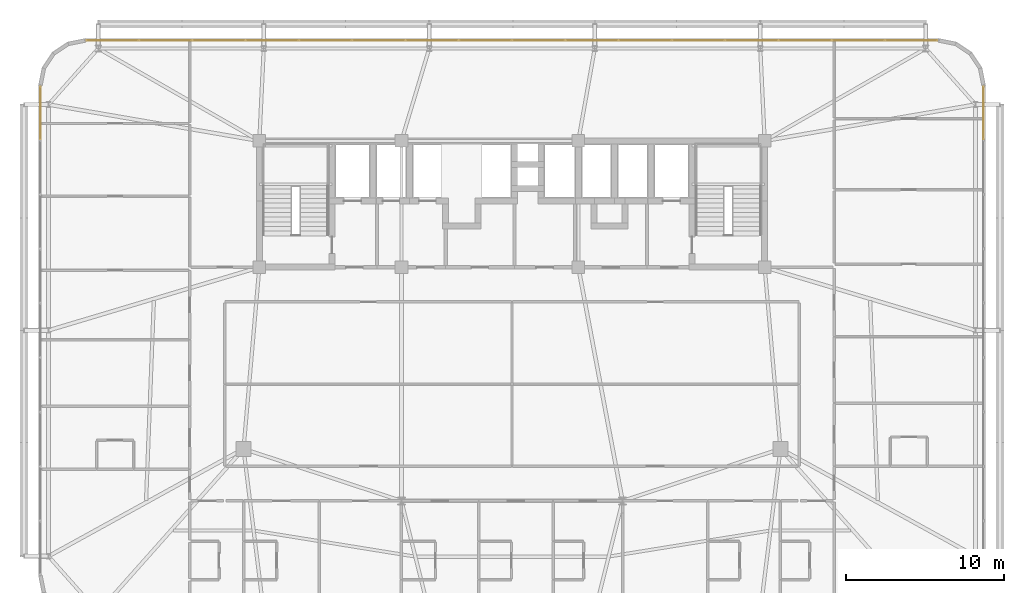
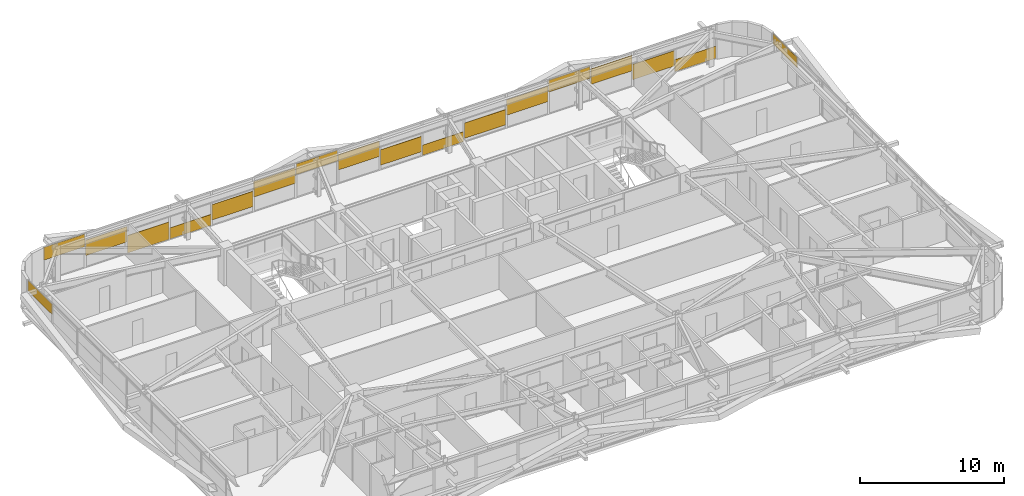
# One storey, part 59 of 59: 18 coverings.
"""IFC4 building model written with IfcOpenShell, lengths in metres."""

import ifcopenshell
import ifcopenshell.guid

model = None  # the IFC model being written
_history = None  # IfcOwnerHistory: only IFC2X3 demands one
_inside = {}  # id of a spatial element -> (the spatial element, [elements in it])
_under = {}  # id of a project, library or spatial element -> (it, [spatial elements below it])
_declared = {}  # id of a project -> (the project, [libraries it declares])
_typed = {}  # id of a type object -> (the type object, [elements of that type])
_made_of = {}  # id of a material, layer set ... -> (it, [elements and type objects made of it])


def new_model(schema):
    """Start an empty IFC model of exactly this schema.

    Asked for "IFC4X3", IfcOpenShell would pick the latest addendum, in which some entities
    have other attributes; the version numbers below select the first issue.
    IFC2X3 requires an IfcOwnerHistory on every rooted entity: one is made here for all.
    """
    global model, _history
    if schema == "IFC4X3":
        model = ifcopenshell.file(schema_version=(4, 3, 0, 0))
    else:
        model = ifcopenshell.file(schema=schema)
    _inside.clear()
    _under.clear()
    _declared.clear()
    _typed.clear()
    _made_of.clear()
    _history = None
    if model.schema == "IFC2X3":
        org = make("IfcOrganization", Name="unknown")
        user = make(
            "IfcPersonAndOrganization",
            ThePerson=make("IfcPerson", FamilyName="unknown"),
            TheOrganization=org,
        )
        app = make(
            "IfcApplication",
            ApplicationDeveloper=org,
            Version="unknown",
            ApplicationFullName="unknown",
            ApplicationIdentifier="unknown",
        )
        _history = make(
            "IfcOwnerHistory",
            OwningUser=user,
            OwningApplication=app,
            ChangeAction="ADDED",
            CreationDate=0,
        )
    return model


def make(cls, **values):
    """One entity of the class cls with the attributes given. An attribute that is None is left unset."""
    return model.create_entity(
        cls, **{name: value for name, value in values.items() if value is not None}
    )


def rooted(cls, **values):
    """An entity with a GlobalId (a new one), such as an element, a storey or a relation."""
    return make(cls, GlobalId=ifcopenshell.guid.new(), OwnerHistory=_history, **values)


def si_unit(unit_type, name, prefix=None):
    """IfcSIUnit, for example si_unit("LENGTHUNIT", "METRE", prefix="MILLI")."""
    return make("IfcSIUnit", UnitType=unit_type, Prefix=prefix, Name=name)


def assignment(units):
    """IfcUnitAssignment: the units of a project."""
    return None if units is None else make("IfcUnitAssignment", Units=units)


def point(xyz):
    """IfcCartesianPoint."""
    return None if xyz is None else make("IfcCartesianPoint", Coordinates=xyz)


def direction(xyz):
    """IfcDirection."""
    return None if xyz is None else make("IfcDirection", DirectionRatios=xyz)


def frame(location, z_axis=None, x_axis=None):
    """IfcAxis2Placement3D, a coordinate frame: its origin and axes. An axis left out is left unset."""
    return make(
        "IfcAxis2Placement3D",
        Location=point(location),
        Axis=direction(z_axis),
        RefDirection=direction(x_axis),
    )


def frame_2d(location, x_axis=None):
    """IfcAxis2Placement2D, a coordinate frame in the plane: its origin and x axis."""
    return make(
        "IfcAxis2Placement2D", Location=point(location), RefDirection=direction(x_axis)
    )


def origin():
    """The frame at (0, 0, 0) with its axes left unset."""
    return frame((0.0, 0.0, 0.0))


def origin_2d():
    """The frame at (0, 0) in the plane with its x axis left unset."""
    return frame_2d((0.0, 0.0))


def place(relative_to, where):
    """IfcLocalPlacement: puts the frame where relative to a parent placement (None: the world)."""
    return make(
        "IfcLocalPlacement", PlacementRelTo=relative_to, RelativePlacement=where
    )


def context(
    kind, dimensions, precision=None, world=None, true_north=None, identifier=None
):
    """IfcGeometricRepresentationContext, for example the 3D "Model" context."""
    return make(
        "IfcGeometricRepresentationContext",
        ContextIdentifier=identifier,
        ContextType=kind,
        CoordinateSpaceDimension=dimensions,
        Precision=precision,
        WorldCoordinateSystem=world,
        TrueNorth=true_north,
    )


def subcontext(parent, identifier, kind, view, scale=None):
    """IfcGeometricRepresentationSubContext, for example "Body" below "Model"."""
    return make(
        "IfcGeometricRepresentationSubContext",
        ContextIdentifier=identifier,
        ContextType=kind,
        ParentContext=parent,
        TargetScale=scale,
        TargetView=view,
    )


def project(units=None, contexts=None):
    """IfcProject with its units and contexts."""
    return rooted(
        "IfcProject",
        Name="project",
        RepresentationContexts=contexts,
        UnitsInContext=assignment(units),
    )


def spatial(cls, under=None, at=None, **own):
    """A site, building, storey or space (cls), placed at a placement, below another one or the project."""
    s = rooted(cls, ObjectPlacement=at, **own)
    if under is not None:
        _under.setdefault(under.id(), (under, []))[1].append(s)
    return s


def profile(cls, at=None, kind="AREA", **sizes):
    """A parametric profile (cls). Its sizes go by their IFC names, for example OverallWidth=200.0."""
    return make(cls, ProfileType=kind, Position=at, **sizes)


def rectangle(**sizes):
    """IfcRectangleProfileDef."""
    return profile("IfcRectangleProfileDef", **sizes)


def extrude(swept, where, along, depth):
    """IfcExtrudedAreaSolid: the profile swept, set in the frame where, extruded along a direction by depth."""
    return make(
        "IfcExtrudedAreaSolid",
        SweptArea=swept,
        Position=where,
        ExtrudedDirection=direction(along),
        Depth=depth,
    )


def shape(context_of_items, identifier, shape_type, items):
    """IfcShapeRepresentation: the items that make up one representation, for example the "Body"."""
    return make(
        "IfcShapeRepresentation",
        ContextOfItems=context_of_items,
        RepresentationIdentifier=identifier,
        RepresentationType=shape_type,
        Items=items,
    )


def source(mapping_origin, context_of_items, identifier, shape_type, items):
    """IfcRepresentationMap: a shape defined once, which mapped items show again and again."""
    return make(
        "IfcRepresentationMap",
        MappingOrigin=mapping_origin,
        MappedRepresentation=shape(context_of_items, identifier, shape_type, items),
    )


def transform(
    local_origin,
    x_axis=None,
    y_axis=None,
    z_axis=None,
    scale=None,
    scale2=None,
    scale3=None,
    uniform=True,
):
    """IfcCartesianTransformationOperator3D, or its non-uniform kind. x_axis, y_axis, z_axis: its Axis1, 2, 3."""
    if uniform:
        return make(
            "IfcCartesianTransformationOperator3D",
            Axis1=direction(x_axis),
            Axis2=direction(y_axis),
            LocalOrigin=point(local_origin),
            Scale=scale,
            Axis3=direction(z_axis),
        )
    return make(
        "IfcCartesianTransformationOperator3DnonUniform",
        Axis1=direction(x_axis),
        Axis2=direction(y_axis),
        LocalOrigin=point(local_origin),
        Scale=scale,
        Axis3=direction(z_axis),
        Scale2=scale2,
        Scale3=scale3,
    )


def mapped(mapping_source, mapping_target):
    """IfcMappedItem: shows the shape of a source again, moved by a transform."""
    return make(
        "IfcMappedItem", MappingSource=mapping_source, MappingTarget=mapping_target
    )


def material(Name=None, Category=None):
    """IfcMaterial."""
    return make("IfcMaterial", Name=Name, Category=Category)


def layer(
    of_material, thickness, ventilated=None, Name=None, Category=None, Priority=None
):
    """IfcMaterialLayer: one layer of a wall or slab, of a material (None: an air gap)."""
    return make(
        "IfcMaterialLayer",
        Material=of_material,
        LayerThickness=thickness,
        IsVentilated=ventilated,
        Name=Name,
        Category=Category,
        Priority=Priority,
    )


def layer_set(layers, Name=None):
    """IfcMaterialLayerSet."""
    return make("IfcMaterialLayerSet", MaterialLayers=layers, LayerSetName=Name)


def made_of(thing, what):
    """Note that an element or type object is made of a material, layer set ...; save() writes the relation."""
    if what is not None:
        _made_of.setdefault(what.id(), (what, []))[1].append(thing)
    return thing


def type_object(cls, material=None, **own):
    """A type object (cls), such as IfcWallType, which elements share."""
    return made_of(rooted(cls, **own), material)


def element(
    cls,
    number,
    at=None,
    inside=None,
    cuts=None,
    type_object=None,
    material=None,
    context=None,
    identifier="Body",
    shape_type=None,
    held_by="IfcProductDefinitionShape",
    body=None,
    shapes=None,
    **own,
):
    """One element of the class cls, such as IfcWall. Its Tag is "e" and its number.

    at: its placement. inside: the storey or other place that contains it. cuts: it is an
    opening in that element (IfcRelVoidsElement). A single representation is given by context,
    identifier, shape_type and body (its items); several are given by shapes. held_by: the class
    of the entity that holds the representations. save() writes the other relations.
    """
    e = rooted(cls, Tag="e%d" % number, ObjectPlacement=at, **own)
    if body is not None:
        shapes = [shape(context, identifier, shape_type, body)]
    if shapes is not None:
        e.Representation = make(held_by, Representations=shapes)
    if inside is not None:
        _inside.setdefault(inside.id(), (inside, []))[1].append(e)
    if cuts is not None:
        rooted(
            "IfcRelVoidsElement", RelatingBuildingElement=cuts, RelatedOpeningElement=e
        )
    if type_object is not None:
        _typed.setdefault(type_object.id(), (type_object, []))[1].append(e)
    return made_of(e, material)


def aggregate(whole, parts):
    """IfcRelAggregates: a whole, such as a stair, and the parts it consists of."""
    return rooted("IfcRelAggregates", RelatingObject=whole, RelatedObjects=parts)


def save(model, path):
    """Write the relations noted so far, then the file.

    IfcRelAggregates (storeys below a building ...), IfcRelContainedInSpatialStructure (elements
    in a storey), IfcRelDefinesByType, IfcRelAssociatesMaterial and IfcRelDeclares: one each for
    every whole, place, type object, material and project.
    """
    for whole, parts in _under.values():
        aggregate(whole, parts)
    for where, things in _inside.values():
        rooted(
            "IfcRelContainedInSpatialStructure",
            RelatedElements=things,
            RelatingStructure=where,
        )
    for kind, things in _typed.values():
        rooted("IfcRelDefinesByType", RelatedObjects=things, RelatingType=kind)
    for what, things in _made_of.values():
        rooted("IfcRelAssociatesMaterial", RelatedObjects=things, RelatingMaterial=what)
    for by, libraries in _declared.values():
        rooted("IfcRelDeclares", RelatingContext=by, RelatedDefinitions=libraries)
    model.write(path)


model = new_model("IFC4")

# Units and contexts
model_context = context("Model", 3, precision=1e-05, world=origin(), true_north=direction((0.0, 1.0)))
body_context = subcontext(model_context, "Body", "Model", "MODEL_VIEW")
ifc_project = project(units=[si_unit("LENGTHUNIT", "METRE"), si_unit("AREAUNIT", "SQUARE_METRE"), si_unit("VOLUMEUNIT", "CUBIC_METRE"), si_unit("PLANEANGLEUNIT", "RADIAN"), si_unit("MASSUNIT", "GRAM", prefix="KILO")], contexts=[model_context])

# Site, building, storey
site_placement = place(None, origin())
site = spatial("IfcSite", under=ifc_project, at=site_placement, CompositionType="ELEMENT")
building_placement = place(site_placement, origin())
building = spatial("IfcBuilding", under=site, at=building_placement, Name="Taldren Reach Tower", CompositionType="ELEMENT")
storey_placement = place(building_placement, frame((0.0, 0.0, 19.949951171875)))
storey = spatial("IfcBuildingStorey", under=building, at=storey_placement, Name="L05", CompositionType="ELEMENT", Elevation=19.949951171875)

# Coverings
ifc_material = material(Name="Pale Champagne Fluoropolymer Aluminium Spandrel Cladding", Category="aluminium")
ifc_layer = layer(ifc_material, 0.0439453125)
ifc_layer_set = layer_set([ifc_layer], Name="Pale Champagne Fluoropolymer Aluminium Spandrel Cladding")
covering_type = type_object("IfcCoveringType", Name="CV-CLAD-044", PredefinedType="CLADDING", material=ifc_layer_set)
shared_shape_1 = source(origin(), body_context, "Body", "SweptSolid", [
    extrude(rectangle(XDim=3.277587890625, YDim=0.0439453125, at=origin_2d()), origin(), (0.0, 0.0, 1.0), 1.081298828125),
])
covering_1_placement = place(storey_placement, frame((9.703857421875, 38.360107421875, 1.7939453125), z_axis=(0.0, 0.0, 1.0), x_axis=(-1.0, 0.0, 0.0)))
element("IfcCovering", 1, at=covering_1_placement, inside=storey, type_object=covering_type, Name="Diagrid closure cladding strip CW-2 panel 16.1 1", PredefinedType="CLADDING", context=body_context, shape_type="MappedRepresentation", body=[
    mapped(shared_shape_1, transform((0.0, 0.0, 0.0), scale=1.0)),
])
shared_shape_2 = source(origin(), body_context, "Body", "SweptSolid", [
    extrude(rectangle(XDim=3.31005859375, YDim=0.0439453125, at=origin_2d()), origin(), (0.0, 0.0, 1.0), 1.301025390625),
])
for number, where, z_axis, x_axis, name in (
    (2, (56.9375, 38.360107421875, 0.55810546875), (0.0, 0.0, 1.0), (-1.0, 0.0, 0.0), "Diagrid closure cladding strip CW-2 panel 2.1 1"),
    (3, (53.5625, 38.360107421875, 1.34033203125), (0.0, 0.0, 1.0), (-1.0, 0.0, 0.0), "Diagrid closure cladding strip CW-2 panel 3.1 1"),
    (4, (46.8125, 38.360107421875, 1.09326171875), (0.0, 0.0, 1.0), (-1.0, 0.0, 0.0), "Diagrid closure cladding strip CW-2 panel 5.1 1"),
    (5, (43.4375, 38.360107421875, 0.31103515625), (0.0, 0.0, 1.0), (-1.0, 0.0, 0.0), "Diagrid closure cladding strip CW-2 panel 6.1 1"),
    (6, (36.6875, 38.360107421875, 0.39306640625), (0.0, 0.0, 1.0), (-1.0, 0.0, 0.0), "Diagrid closure cladding strip CW-2 panel 8.1 1"),
    (7, (33.3125, 38.360107421875, 1.17578125), (0.0, 0.0, 1.0), (-1.0, 0.0, 0.0), "Diagrid closure cladding strip CW-2 panel 9.1 1"),
    (8, (26.5625, 38.360107421875, 1.25830078125), (0.0, 0.0, 1.0), (-1.0, 0.0, 0.0), "Diagrid closure cladding strip CW-2 panel 11.1 1"),
    (9, (23.1875, 38.360107421875, 0.4755859375), (0.0, 0.0, 1.0), (-1.0, 0.0, 0.0), "Diagrid closure cladding strip CW-2 panel 12.1 1"),
    (10, (13.0625, 38.360107421875, 1.01123046875), (0.0, 0.0, 1.0), (-1.0, 0.0, 0.0), "Diagrid closure cladding strip CW-2 panel 15.1 1"),
):
    element("IfcCovering", number, at=place(storey_placement, frame(where, z_axis=z_axis, x_axis=x_axis)), inside=storey, type_object=covering_type, Name=name, PredefinedType="CLADDING", context=body_context, shape_type="MappedRepresentation", body=[
        mapped(shared_shape_2, transform((0.0, 0.0, 0.0), scale=1.0)),
    ])
shared_shape_3 = source(origin(), body_context, "Body", "SweptSolid", [
    extrude(rectangle(XDim=3.31005859375, YDim=0.0439453125, at=origin_2d()), origin(), (0.0, 0.0, 1.0), 1.474609375),
])
covering_2_placement = place(storey_placement, frame((16.4375, 38.360107421875, 0.054931640625), z_axis=(0.0, 0.0, 1.0), x_axis=(-1.0, 0.0, 0.0)))
element("IfcCovering", 11, at=covering_2_placement, inside=storey, type_object=covering_type, Name="Diagrid closure cladding strip CW-2 panel 14.1 1", PredefinedType="CLADDING", context=body_context, shape_type="MappedRepresentation", body=[
    mapped(shared_shape_3, transform((0.0, 0.0, 0.0), scale=1.0)),
])
shared_shape_4 = source(origin(), body_context, "Body", "SweptSolid", [
    extrude(rectangle(XDim=3.31005859375, YDim=0.0439453125, at=origin_2d()), origin(), (0.0, 0.0, 1.0), 0.93896484375),
])
covering_3_placement = place(storey_placement, frame((19.8125, 38.360107421875, 0.05517578125), z_axis=(0.0, 0.0, 1.0), x_axis=(-1.0, 0.0, 0.0)))
element("IfcCovering", 12, at=covering_3_placement, inside=storey, type_object=covering_type, Name="Diagrid closure cladding strip CW-2 panel 13.1 1", PredefinedType="CLADDING", context=body_context, shape_type="MappedRepresentation", body=[
    mapped(shared_shape_4, transform((0.0, 0.0, 0.0), scale=1.0)),
])
shared_shape_5 = source(origin(), body_context, "Body", "SweptSolid", [
    extrude(rectangle(XDim=3.31005859375, YDim=0.0439453125, at=origin_2d()), origin(), (0.0, 0.0, 1.0), 0.916748046875),
])
covering_4_placement = place(storey_placement, frame((29.9375, 38.360107421875, 1.95849609375), z_axis=(0.0, 0.0, 1.0), x_axis=(-1.0, 0.0, 0.0)))
element("IfcCovering", 13, at=covering_4_placement, inside=storey, type_object=covering_type, Name="Diagrid closure cladding strip CW-2 panel 10.1 1", PredefinedType="CLADDING", context=body_context, shape_type="MappedRepresentation", body=[
    mapped(shared_shape_5, transform((0.0, 0.0, 0.0), scale=1.0)),
])
shared_shape_6 = source(origin(), body_context, "Body", "SweptSolid", [
    extrude(rectangle(XDim=3.31005859375, YDim=0.0439453125, at=origin_2d()), origin(), (0.0, 0.0, 1.0), 0.856689453125),
])
covering_5_placement = place(storey_placement, frame((40.0625, 38.360107421875, 0.05517578125), z_axis=(0.0, 0.0, 1.0), x_axis=(-1.0, 0.0, 0.0)))
element("IfcCovering", 14, at=covering_5_placement, inside=storey, type_object=covering_type, Name="Diagrid closure cladding strip CW-2 panel 7.1 1", PredefinedType="CLADDING", context=body_context, shape_type="MappedRepresentation", body=[
    mapped(shared_shape_6, transform((0.0, 0.0, 0.0), scale=1.0)),
])
shared_shape_7 = source(origin(), body_context, "Body", "SweptSolid", [
    extrude(rectangle(XDim=3.31005859375, YDim=0.0439453125, at=origin_2d()), origin(), (0.0, 0.0, 1.0), 0.9990234375),
])
covering_6_placement = place(storey_placement, frame((50.1875, 38.360107421875, 1.8759765625), z_axis=(0.0, 0.0, 1.0), x_axis=(-1.0, 0.0, 0.0)))
element("IfcCovering", 15, at=covering_6_placement, inside=storey, type_object=covering_type, Name="Diagrid closure cladding strip CW-2 panel 4.1 1", PredefinedType="CLADDING", context=body_context, shape_type="MappedRepresentation", body=[
    mapped(shared_shape_7, transform((0.0, 0.0, 0.0), scale=1.0)),
])
shared_shape_8 = source(origin(), body_context, "Body", "SweptSolid", [
    extrude(rectangle(XDim=3.277587890625, YDim=0.0439453125, at=origin_2d()), origin(), (0.0, 0.0, 1.0), 1.021240234375),
])
covering_7_placement = place(storey_placement, frame((60.296142578125, 38.360107421875, 0.05517578125), z_axis=(0.0, 0.0, 1.0), x_axis=(-1.0, 0.0, 0.0)))
element("IfcCovering", 16, at=covering_7_placement, inside=storey, type_object=covering_type, Name="Diagrid closure cladding strip CW-2 panel 1.1 1", PredefinedType="CLADDING", context=body_context, shape_type="MappedRepresentation", body=[
    mapped(shared_shape_8, transform((0.0, 0.0, 0.0), scale=1.0)),
])
shared_shape_9 = source(origin(), body_context, "Body", "SweptSolid", [
    extrude(rectangle(XDim=3.346923828125, YDim=0.0439453125, at=origin_2d()), origin(), (0.0, 0.0, 1.0), 0.864501953125),
])
for number, where, z_axis, x_axis, name in (
    (17, (5.139892578125, 33.761474609375, 2.0107421875), (0.0, 0.0, 1.0), (0.0, -1.0, 0.0), "Diagrid closure cladding strip CW-2 panel 1.1 1"),
    (18, (64.860107421875, 33.761474609375, 2.0107421875), (0.0, 0.0, 1.0), (0.0, 1.0, 0.0), "Diagrid closure cladding strip CW-2 panel 9.1 1"),
):
    element("IfcCovering", number, at=place(storey_placement, frame(where, z_axis=z_axis, x_axis=x_axis)), inside=storey, type_object=covering_type, Name=name, PredefinedType="CLADDING", context=body_context, shape_type="MappedRepresentation", body=[
        mapped(shared_shape_9, transform((0.0, 0.0, 0.0), scale=1.0)),
    ])

save(model, "model.ifc")
